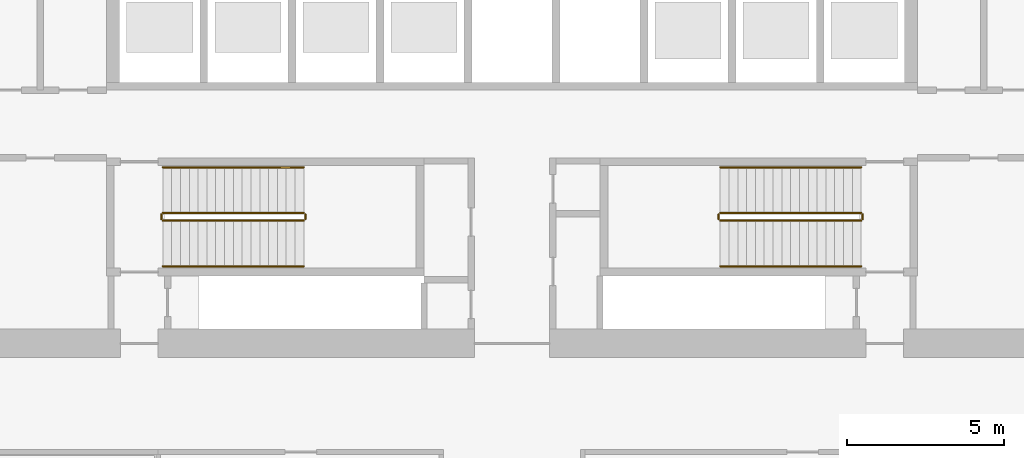
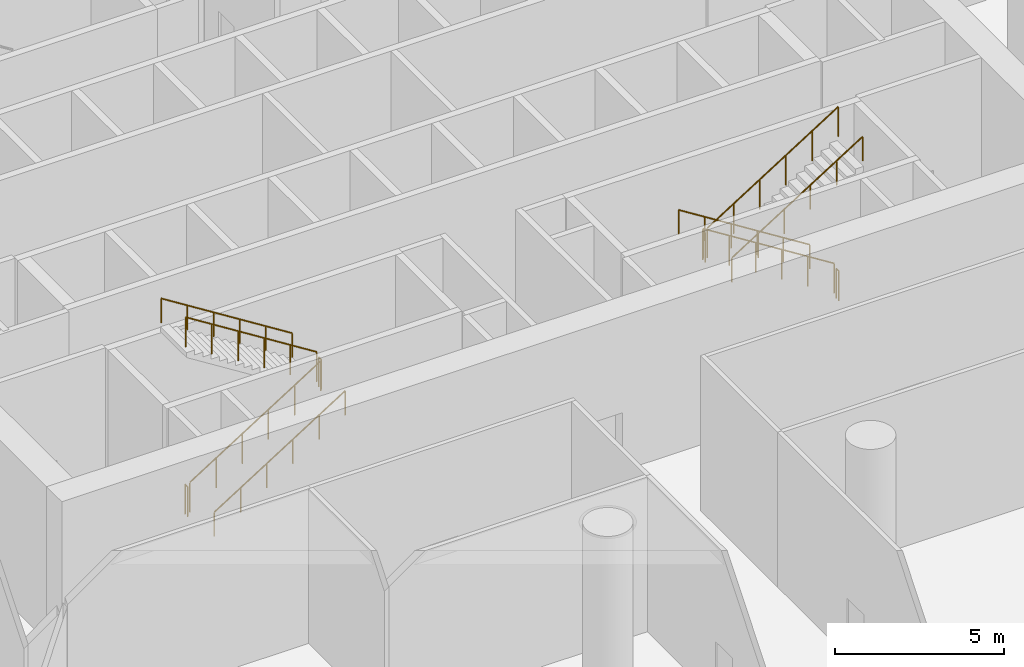
# One storey, part 34 of 44: 12 railings.
"""IFC4 building model written with IfcOpenShell, lengths in metres."""

from ifc_helpers import new_model, si_unit, direction, frame, origin, origin_2d, place, context, subcontext, project, spatial, circle, extrude, material, type_object, element, save


model = new_model("IFC4")

# Units and contexts
model_context = context("Model", 3, precision=1e-05, world=origin(), true_north=direction((0.0, 1.0)))
body_context = subcontext(model_context, "Body", "Model", "MODEL_VIEW")
ifc_project = project(units=[si_unit("LENGTHUNIT", "METRE"), si_unit("AREAUNIT", "SQUARE_METRE"), si_unit("VOLUMEUNIT", "CUBIC_METRE"), si_unit("PLANEANGLEUNIT", "RADIAN"), si_unit("MASSUNIT", "GRAM", prefix="KILO")], contexts=[model_context])

# Site, building, storey
site_placement = place(None, origin())
site = spatial("IfcSite", under=ifc_project, at=site_placement, CompositionType="ELEMENT")
building_placement = place(site_placement, origin())
building = spatial("IfcBuilding", under=site, at=building_placement, Name="Dhurran Vertical Campus", CompositionType="ELEMENT")
storey_placement = place(building_placement, origin())
storey = spatial("IfcBuildingStorey", under=building, at=storey_placement, Name="L00", CompositionType="ELEMENT", Elevation=0.0)

# Railings
ifc_material_1 = material(Name="Stainless steel balustrade", Category="steel")
railing_type_1 = type_object("IfcRailingType", Name="co-RL-GUARD-1100", PredefinedType="GUARDRAIL", material=ifc_material_1)
railing_1_placement = place(storey_placement, frame((-11.10009765625, -9.14990234375, 0.176513671875)))
element("IfcRailing", 1, at=railing_1_placement, inside=storey, type_object=railing_type_1, Name="L00 ST3 stair guard 1", PredefinedType="GUARDRAIL", context=body_context, shape_type="SweptSolid", body=[
    extrude(circle(Radius=0.02392578125, at=origin_2d()), frame((0.0, 0.0, 1.076171875), z_axis=(0.845997938375, 0.0, 0.533186166611), x_axis=(0.0, 1.0, 0.0)), (0.0, 0.0, 1.0), 5.29541015625),
    extrude(circle(Radius=0.02099609375, at=origin_2d()), origin(), (0.0, 0.0, 1.0), 1.052001953125),
    extrude(circle(Radius=0.02099609375, at=origin_2d()), frame((0.89599609375, 0.0, 0.564697265625)), (0.0, 0.0, 1.0), 1.052001953125),
    extrude(circle(Radius=0.02099609375, at=origin_2d()), frame((1.7919921875, 0.0, 1.12939453125)), (0.0, 0.0, 1.0), 1.052001953125),
    extrude(circle(Radius=0.02099609375, at=origin_2d()), frame((2.68798828125, 0.0, 1.694091796875)), (0.0, 0.0, 1.0), 1.052001953125),
    extrude(circle(Radius=0.02099609375, at=origin_2d()), frame((3.583984375, 0.0, 2.2587890625)), (0.0, 0.0, 1.0), 1.052001953125),
    extrude(circle(Radius=0.02099609375, at=origin_2d()), frame((4.47998046875, 0.0, 2.823486328125)), (0.0, 0.0, 1.0), 1.052001953125),
])
railing_2_placement = place(storey_placement, frame((-6.570068359375, -9.10009765625, 3.0)))
element("IfcRailing", 2, at=railing_2_placement, inside=storey, type_object=railing_type_1, Name="L00 ST3 stair guard 2", PredefinedType="GUARDRAIL", context=body_context, shape_type="SweptSolid", body=[
    extrude(circle(Radius=0.02392578125, at=origin_2d()), frame((0.0, 0.0, 1.076171875), z_axis=(0.0, 1.0, 0.0), x_axis=(-1.0, 0.0, 0.0)), (0.0, 0.0, 1.0), 0.150146484375),
    extrude(circle(Radius=0.02099609375, at=origin_2d()), origin(), (0.0, 0.0, 1.0), 1.052001953125),
    extrude(circle(Radius=0.02099609375, at=origin_2d()), frame((0.0, 0.150146484375, 0.0)), (0.0, 0.0, 1.0), 1.052001953125),
])
railing_3_placement = place(storey_placement, frame((-6.6201171875, -8.89990234375, 3.176513671875)))
element("IfcRailing", 3, at=railing_3_placement, inside=storey, type_object=railing_type_1, Name="L00 ST3 stair guard 3", PredefinedType="GUARDRAIL", context=body_context, shape_type="SweptSolid", body=[
    extrude(circle(Radius=0.02392578125, at=origin_2d()), frame((0.0, 0.0, 1.076171875), z_axis=(-0.845997938375, 0.0, 0.533186166611), x_axis=(0.0, -1.0, 0.0)), (0.0, 0.0, 1.0), 5.29541015625),
    extrude(circle(Radius=0.02099609375, at=origin_2d()), origin(), (0.0, 0.0, 1.0), 1.052001953125),
    extrude(circle(Radius=0.02099609375, at=origin_2d()), frame((-0.89599609375, 0.0, 0.564697265625)), (0.0, 0.0, 1.0), 1.052001953125),
    extrude(circle(Radius=0.02099609375, at=origin_2d()), frame((-1.7919921875, 0.0, 1.12939453125)), (0.0, 0.0, 1.0), 1.052001953125),
    extrude(circle(Radius=0.02099609375, at=origin_2d()), frame((-2.68798828125, 0.0, 1.694091796875)), (0.0, 0.0, 1.0), 1.052001953125),
    extrude(circle(Radius=0.02099609375, at=origin_2d()), frame((-3.583984375, 0.0, 2.2587890625)), (0.0, 0.0, 1.0), 1.052001953125),
    extrude(circle(Radius=0.02099609375, at=origin_2d()), frame((-4.47998046875, 0.0, 2.823486328125)), (0.0, 0.0, 1.0), 1.052001953125),
])
railing_4_placement = place(storey_placement, frame((-11.14990234375, -9.10009765625, 0.0)))
element("IfcRailing", 4, at=railing_4_placement, inside=storey, type_object=railing_type_1, Name="L00 ST3 stair guard 4", PredefinedType="GUARDRAIL", context=body_context, shape_type="SweptSolid", body=[
    extrude(circle(Radius=0.02392578125, at=origin_2d()), frame((0.0, 0.0, 1.076171875), z_axis=(0.0, 1.0, 0.0), x_axis=(-1.0, 0.0, 0.0)), (0.0, 0.0, 1.0), 0.150146484375),
    extrude(circle(Radius=0.02099609375, at=origin_2d()), origin(), (0.0, 0.0, 1.0), 1.052001953125),
    extrude(circle(Radius=0.02099609375, at=origin_2d()), frame((0.0, 0.150146484375, 0.0)), (0.0, 0.0, 1.0), 1.052001953125),
])
railing_5_placement = place(storey_placement, frame((11.10009765625, -8.89990234375, 0.176513671875)))
element("IfcRailing", 5, at=railing_5_placement, inside=storey, type_object=railing_type_1, Name="L00 ST4 stair guard 1", PredefinedType="GUARDRAIL", context=body_context, shape_type="SweptSolid", body=[
    extrude(circle(Radius=0.02392578125, at=origin_2d()), frame((0.0, 0.0, 1.076171875), z_axis=(-0.845997938375, 0.0, 0.533186166611), x_axis=(0.0, -1.0, 0.0)), (0.0, 0.0, 1.0), 5.29541015625),
    extrude(circle(Radius=0.02099609375, at=origin_2d()), origin(), (0.0, 0.0, 1.0), 1.052001953125),
    extrude(circle(Radius=0.02099609375, at=origin_2d()), frame((-0.89599609375, 0.0, 0.564697265625)), (0.0, 0.0, 1.0), 1.052001953125),
    extrude(circle(Radius=0.02099609375, at=origin_2d()), frame((-1.7919921875, 0.0, 1.12939453125)), (0.0, 0.0, 1.0), 1.052001953125),
    extrude(circle(Radius=0.02099609375, at=origin_2d()), frame((-2.68798828125, 0.0, 1.694091796875)), (0.0, 0.0, 1.0), 1.052001953125),
    extrude(circle(Radius=0.02099609375, at=origin_2d()), frame((-3.583984375, 0.0, 2.2587890625)), (0.0, 0.0, 1.0), 1.052001953125),
    extrude(circle(Radius=0.02099609375, at=origin_2d()), frame((-4.47998046875, 0.0, 2.823486328125)), (0.0, 0.0, 1.0), 1.052001953125),
])
railing_6_placement = place(storey_placement, frame((6.570068359375, -8.949951171875, 3.0)))
element("IfcRailing", 6, at=railing_6_placement, inside=storey, type_object=railing_type_1, Name="L00 ST4 stair guard 2", PredefinedType="GUARDRAIL", context=body_context, shape_type="SweptSolid", body=[
    extrude(circle(Radius=0.02392578125, at=origin_2d()), frame((0.0, 0.0, 1.076171875), z_axis=(0.0, -1.0, 0.0), x_axis=(1.0, 0.0, 0.0)), (0.0, 0.0, 1.0), 0.150146484375),
    extrude(circle(Radius=0.02099609375, at=origin_2d()), origin(), (0.0, 0.0, 1.0), 1.052001953125),
    extrude(circle(Radius=0.02099609375, at=origin_2d()), frame((0.0, -0.150146484375, 0.0)), (0.0, 0.0, 1.0), 1.052001953125),
])
railing_7_placement = place(storey_placement, frame((6.6201171875, -9.14990234375, 3.176513671875)))
element("IfcRailing", 7, at=railing_7_placement, inside=storey, type_object=railing_type_1, Name="L00 ST4 stair guard 3", PredefinedType="GUARDRAIL", context=body_context, shape_type="SweptSolid", body=[
    extrude(circle(Radius=0.02392578125, at=origin_2d()), frame((0.0, 0.0, 1.076171875), z_axis=(0.845997938375, 0.0, 0.533186166611), x_axis=(0.0, 1.0, 0.0)), (0.0, 0.0, 1.0), 5.29541015625),
    extrude(circle(Radius=0.02099609375, at=origin_2d()), origin(), (0.0, 0.0, 1.0), 1.052001953125),
    extrude(circle(Radius=0.02099609375, at=origin_2d()), frame((0.89599609375, 0.0, 0.564697265625)), (0.0, 0.0, 1.0), 1.052001953125),
    extrude(circle(Radius=0.02099609375, at=origin_2d()), frame((1.7919921875, 0.0, 1.12939453125)), (0.0, 0.0, 1.0), 1.052001953125),
    extrude(circle(Radius=0.02099609375, at=origin_2d()), frame((2.68798828125, 0.0, 1.694091796875)), (0.0, 0.0, 1.0), 1.052001953125),
    extrude(circle(Radius=0.02099609375, at=origin_2d()), frame((3.583984375, 0.0, 2.2587890625)), (0.0, 0.0, 1.0), 1.052001953125),
    extrude(circle(Radius=0.02099609375, at=origin_2d()), frame((4.47998046875, 0.0, 2.823486328125)), (0.0, 0.0, 1.0), 1.052001953125),
])
railing_8_placement = place(storey_placement, frame((11.14990234375, -8.949951171875, 0.0)))
element("IfcRailing", 8, at=railing_8_placement, inside=storey, type_object=railing_type_1, Name="L00 ST4 stair guard 4", PredefinedType="GUARDRAIL", context=body_context, shape_type="SweptSolid", body=[
    extrude(circle(Radius=0.02392578125, at=origin_2d()), frame((0.0, 0.0, 1.076171875), z_axis=(0.0, -1.0, 0.0), x_axis=(1.0, 0.0, 0.0)), (0.0, 0.0, 1.0), 0.150146484375),
    extrude(circle(Radius=0.02099609375, at=origin_2d()), origin(), (0.0, 0.0, 1.0), 1.052001953125),
    extrude(circle(Radius=0.02099609375, at=origin_2d()), frame((0.0, -0.150146484375, 0.0)), (0.0, 0.0, 1.0), 1.052001953125),
])
ifc_material_2 = material(Name="Stainless steel handrail", Category="steel")
railing_type_2 = type_object("IfcRailingType", Name="co-RL-HANDRAIL-900", PredefinedType="HANDRAIL", material=ifc_material_2)
railing_9_placement = place(storey_placement, frame((-11.10009765625, -10.60009765625, 0.176513671875)))
element("IfcRailing", 9, at=railing_9_placement, inside=storey, type_object=railing_type_2, Name="L00 ST3 stair handrail 1", PredefinedType="HANDRAIL", context=body_context, shape_type="SweptSolid", body=[
    extrude(circle(Radius=0.02392578125, at=origin_2d()), frame((0.0, 0.0, 0.8759765625), z_axis=(0.845997938375, 0.0, 0.533186166611), x_axis=(0.0, 1.0, 0.0)), (0.0, 0.0, 1.0), 5.29541015625),
    extrude(circle(Radius=0.02099609375, at=origin_2d()), origin(), (0.0, 0.0, 1.0), 0.851806640625),
    extrude(circle(Radius=0.02099609375, at=origin_2d()), frame((0.89599609375, 0.0, 0.564697265625)), (0.0, 0.0, 1.0), 0.851806640625),
    extrude(circle(Radius=0.02099609375, at=origin_2d()), frame((1.7919921875, 0.0, 1.12939453125)), (0.0, 0.0, 1.0), 0.851806640625),
    extrude(circle(Radius=0.02099609375, at=origin_2d()), frame((2.68798828125, 0.0, 1.694091796875)), (0.0, 0.0, 1.0), 0.851806640625),
    extrude(circle(Radius=0.02099609375, at=origin_2d()), frame((3.583984375, 0.0, 2.2587890625)), (0.0, 0.0, 1.0), 0.851806640625),
    extrude(circle(Radius=0.02099609375, at=origin_2d()), frame((4.47998046875, 0.0, 2.823486328125)), (0.0, 0.0, 1.0), 0.851806640625),
])
for number, where, name in (
    (10, (-6.6201171875, -7.449951171875, 3.176513671875), "L00 ST3 stair handrail 2"),
    (11, (11.10009765625, -7.449951171875, 0.176513671875), "L00 ST4 stair handrail 1"),
):
    element("IfcRailing", number, at=place(storey_placement, frame(where)), inside=storey, type_object=railing_type_2, Name=name, PredefinedType="HANDRAIL", context=body_context, shape_type="SweptSolid", body=[
        extrude(circle(Radius=0.02392578125, at=origin_2d()), frame((0.0, 0.0, 0.8759765625), z_axis=(-0.845997938375, 0.0, 0.533186166611), x_axis=(0.0, -1.0, 0.0)), (0.0, 0.0, 1.0), 5.29541015625),
        extrude(circle(Radius=0.02099609375, at=origin_2d()), origin(), (0.0, 0.0, 1.0), 0.851806640625),
        extrude(circle(Radius=0.02099609375, at=origin_2d()), frame((-0.89599609375, 0.0, 0.564697265625)), (0.0, 0.0, 1.0), 0.851806640625),
        extrude(circle(Radius=0.02099609375, at=origin_2d()), frame((-1.7919921875, 0.0, 1.12939453125)), (0.0, 0.0, 1.0), 0.851806640625),
        extrude(circle(Radius=0.02099609375, at=origin_2d()), frame((-2.68798828125, 0.0, 1.694091796875)), (0.0, 0.0, 1.0), 0.851806640625),
        extrude(circle(Radius=0.02099609375, at=origin_2d()), frame((-3.583984375, 0.0, 2.2587890625)), (0.0, 0.0, 1.0), 0.851806640625),
        extrude(circle(Radius=0.02099609375, at=origin_2d()), frame((-4.47998046875, 0.0, 2.823486328125)), (0.0, 0.0, 1.0), 0.851806640625),
    ])
railing_10_placement = place(storey_placement, frame((6.6201171875, -10.60009765625, 3.176513671875)))
element("IfcRailing", 12, at=railing_10_placement, inside=storey, type_object=railing_type_2, Name="L00 ST4 stair handrail 2", PredefinedType="HANDRAIL", context=body_context, shape_type="SweptSolid", body=[
    extrude(circle(Radius=0.02392578125, at=origin_2d()), frame((0.0, 0.0, 0.8759765625), z_axis=(0.845997938375, 0.0, 0.533186166611), x_axis=(0.0, 1.0, 0.0)), (0.0, 0.0, 1.0), 5.29541015625),
    extrude(circle(Radius=0.02099609375, at=origin_2d()), origin(), (0.0, 0.0, 1.0), 0.851806640625),
    extrude(circle(Radius=0.02099609375, at=origin_2d()), frame((0.89599609375, 0.0, 0.564697265625)), (0.0, 0.0, 1.0), 0.851806640625),
    extrude(circle(Radius=0.02099609375, at=origin_2d()), frame((1.7919921875, 0.0, 1.12939453125)), (0.0, 0.0, 1.0), 0.851806640625),
    extrude(circle(Radius=0.02099609375, at=origin_2d()), frame((2.68798828125, 0.0, 1.694091796875)), (0.0, 0.0, 1.0), 0.851806640625),
    extrude(circle(Radius=0.02099609375, at=origin_2d()), frame((3.583984375, 0.0, 2.2587890625)), (0.0, 0.0, 1.0), 0.851806640625),
    extrude(circle(Radius=0.02099609375, at=origin_2d()), frame((4.47998046875, 0.0, 2.823486328125)), (0.0, 0.0, 1.0), 0.851806640625),
])

save(model, "model.ifc")
